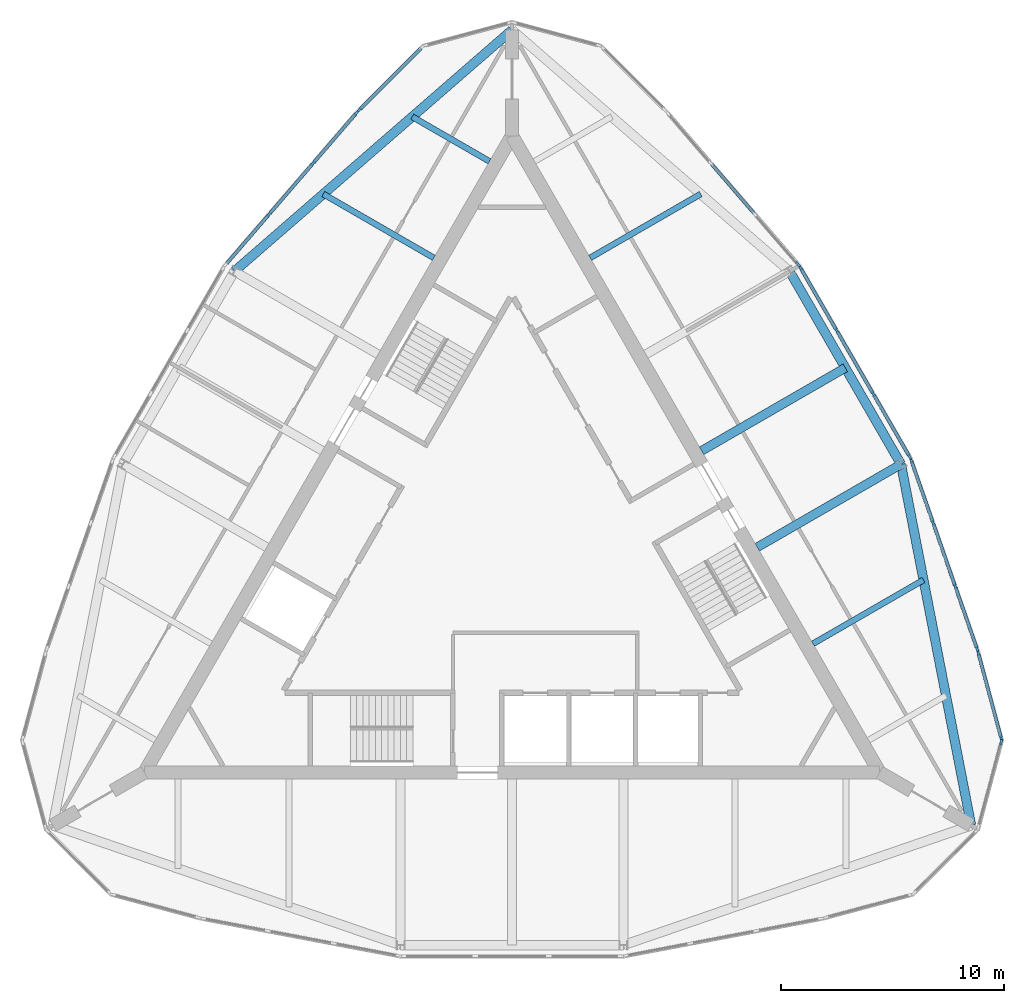
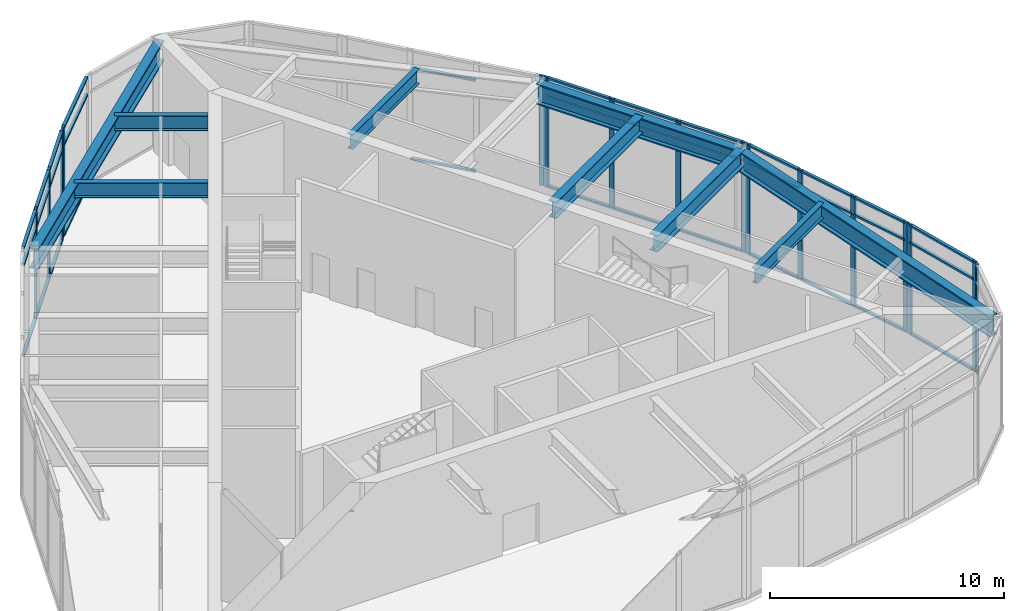
# One storey, part 3 of 9: 51 members, 9 beams, 7 elements without a shape of their own.
"""IFC4 building model written with IfcOpenShell, lengths in metres."""

from ifc_helpers import new_model, si_unit, direction, frame, origin, origin_2d, place, context, subcontext, project, spatial, rectangle, i_section, extrude, material, material_profile, profile_set, type_object, element, aggregate, save


model = new_model("IFC4")

# Units and contexts
model_context = context("Model", 3, precision=1e-05, world=origin(), true_north=direction((0.0, 1.0)))
body_context = subcontext(model_context, "Body", "Model", "MODEL_VIEW")
ifc_project = project(units=[si_unit("LENGTHUNIT", "METRE"), si_unit("AREAUNIT", "SQUARE_METRE"), si_unit("VOLUMEUNIT", "CUBIC_METRE"), si_unit("PLANEANGLEUNIT", "RADIAN"), si_unit("MASSUNIT", "GRAM", prefix="KILO")], contexts=[model_context])

# Site, building, storey
site_placement = place(None, origin())
site = spatial("IfcSite", under=ifc_project, at=site_placement, CompositionType="ELEMENT")
building_placement = place(site_placement, origin())
building = spatial("IfcBuilding", under=site, at=building_placement, Name="Trikona Tower", CompositionType="ELEMENT")
storey_placement = place(building_placement, frame((0.0, 0.0, 286.800048828125)))
storey = spatial("IfcBuildingStorey", under=building, at=storey_placement, Name="L75", CompositionType="ELEMENT", Elevation=286.800048828125)

# Curtain wall, member
ifc_material_1 = material(Name="Aluminium curtain wall system", Category="aluminium")
curtain_wall_type = type_object("IfcCurtainWallType", Name="Curtain wall OB", PredefinedType="NOTDEFINED", material=ifc_material_1)
curtain_wall_1_placement = place(storey_placement, origin())
curtain_wall_1 = element("IfcCurtainWall", 1, at=curtain_wall_1_placement, inside=storey, type_object=curtain_wall_type, Name="Curtain wall OB L75", PredefinedType="NOTDEFINED")
ifc_material_2 = material(Name="Aluminium mullion, pale anodised", Category="aluminium")
ifc_material_profile_1 = material_profile(ifc_material_2, rectangle(XDim=0.10009765625, YDim=0.25, at=origin_2d()), Name="MUL-OB")
ifc_profile_set_1 = profile_set([ifc_material_profile_1], Name="Aluminium mullion, pale anodised")
member_type_1 = type_object("IfcMemberType", Name="Mullion OB 100x250", PredefinedType="MULLION", material=ifc_profile_set_1)
member_1_placement = place(storey_placement, frame((21.957763671875, -8.163330078125, 0.0), z_axis=(0.0, 0.0, 1.0), x_axis=(-0.965923448705, 0.258827918204, 0.0)))
member_1 = element("IfcMember", 2, at=member_1_placement, type_object=member_type_1, Name="CW-OB mullion 2", PredefinedType="MULLION", context=body_context, shape_type="SweptSolid", body=[
    extrude(rectangle(XDim=0.10009765625, YDim=0.25, at=origin_2d()), origin(), (0.0, 0.0, 1.0), 5.75),
])
aggregate(curtain_wall_1, [member_1])

# Curtain wall, members
curtain_wall_2_placement = place(storey_placement, origin())
curtain_wall_2 = element("IfcCurtainWall", 3, at=curtain_wall_2_placement, inside=storey, type_object=curtain_wall_type, Name="Curtain wall OB L75", PredefinedType="NOTDEFINED")
member_2_placement = place(storey_placement, frame((21.957763671875, -8.00244140625, 0.0), z_axis=(0.0, 0.0, 1.0), x_axis=(-0.965921800259, -0.258834069983, 0.0)))
member_2 = element("IfcMember", 4, at=member_2_placement, type_object=member_type_1, Name="CW-OB mullion 1", PredefinedType="MULLION", context=body_context, shape_type="SweptSolid", body=[
    extrude(rectangle(XDim=0.10009765625, YDim=0.25, at=origin_2d()), origin(), (0.0, 0.0, 1.0), 5.75),
])
member_3_placement = place(storey_placement, frame((20.931884765625, -4.173583984375, 0.0), z_axis=(0.0, 0.0, 1.0), x_axis=(-0.965921800259, -0.258834069983, 0.0)))
member_3 = element("IfcMember", 5, at=member_3_placement, type_object=member_type_1, Name="CW-OB mullion 2", PredefinedType="MULLION", context=body_context, shape_type="SweptSolid", body=[
    extrude(rectangle(XDim=0.10009765625, YDim=0.25, at=origin_2d()), origin(), (0.0, 0.0, 1.0), 5.75),
])

curtain_wall_3_placement = place(storey_placement, origin())
curtain_wall_3 = element("IfcCurtainWall", 6, at=curtain_wall_3_placement, inside=storey, type_object=curtain_wall_type, Name="Curtain wall OB L75", PredefinedType="NOTDEFINED")
member_4_placement = place(storey_placement, frame((20.869384765625, -3.970703125, 0.0), z_axis=(0.0, 0.0, 1.0), x_axis=(-0.944137368145, -0.329552165935, 0.0)))
member_4 = element("IfcMember", 7, at=member_4_placement, type_object=member_type_1, Name="CW-OB mullion 1", PredefinedType="MULLION", context=body_context, shape_type="SweptSolid", body=[
    extrude(rectangle(XDim=0.10009765625, YDim=0.25, at=origin_2d()), origin(), (0.0, 0.0, 1.0), 5.75),
])
member_5_placement = place(storey_placement, frame((19.892578125, -1.17236328125, 0.0), z_axis=(0.0, 0.0, 1.0), x_axis=(-0.944137368145, -0.329552165935, 0.0)))
member_5 = element("IfcMember", 8, at=member_5_placement, type_object=member_type_1, Name="CW-OB mullion 2", PredefinedType="MULLION", context=body_context, shape_type="SweptSolid", body=[
    extrude(rectangle(XDim=0.10009765625, YDim=0.25, at=origin_2d()), origin(), (0.0, 0.0, 1.0), 5.75),
])
member_6_placement = place(storey_placement, frame((18.8994140625, 1.6728515625, 0.0), z_axis=(0.0, 0.0, 1.0), x_axis=(-0.944137368145, -0.329552165935, 0.0)))
member_6 = element("IfcMember", 9, at=member_6_placement, type_object=member_type_1, Name="CW-OB mullion 3", PredefinedType="MULLION", context=body_context, shape_type="SweptSolid", body=[
    extrude(rectangle(XDim=0.10009765625, YDim=0.25, at=origin_2d()), origin(), (0.0, 0.0, 1.0), 5.75),
])
member_7_placement = place(storey_placement, frame((17.9228515625, 4.470947265625, 0.0), z_axis=(0.0, 0.0, 1.0), x_axis=(-0.944137368145, -0.329552165935, 0.0)))
member_7 = element("IfcMember", 10, at=member_7_placement, type_object=member_type_1, Name="CW-OB mullion 4", PredefinedType="MULLION", context=body_context, shape_type="SweptSolid", body=[
    extrude(rectangle(XDim=0.10009765625, YDim=0.25, at=origin_2d()), origin(), (0.0, 0.0, 1.0), 5.75),
])

curtain_wall_4_placement = place(storey_placement, origin())
curtain_wall_4 = element("IfcCurtainWall", 11, at=curtain_wall_4_placement, inside=storey, type_object=curtain_wall_type, Name="Curtain wall OB L75", PredefinedType="NOTDEFINED")
member_8_placement = place(storey_placement, frame((17.83935546875, 4.653076171875, 0.0), z_axis=(0.0, 0.0, 1.0), x_axis=(-0.866022089219, -0.500005740951, 0.0)))
member_8 = element("IfcMember", 12, at=member_8_placement, type_object=member_type_1, Name="CW-OB mullion 1", PredefinedType="MULLION", context=body_context, shape_type="SweptSolid", body=[
    extrude(rectangle(XDim=0.10009765625, YDim=0.25, at=origin_2d()), origin(), (0.0, 0.0, 1.0), 5.75),
])
member_9_placement = place(storey_placement, frame((16.217529296875, 7.4619140625, 0.0), z_axis=(0.0, 0.0, 1.0), x_axis=(-0.866022089219, -0.500005740951, 0.0)))
member_9 = element("IfcMember", 13, at=member_9_placement, type_object=member_type_1, Name="CW-OB mullion 2", PredefinedType="MULLION", context=body_context, shape_type="SweptSolid", body=[
    extrude(rectangle(XDim=0.10009765625, YDim=0.25, at=origin_2d()), origin(), (0.0, 0.0, 1.0), 5.75),
])
member_10_placement = place(storey_placement, frame((14.571044921875, 10.31396484375, 0.0), z_axis=(0.0, 0.0, 1.0), x_axis=(-0.866022089219, -0.500005740951, 0.0)))
member_10 = element("IfcMember", 14, at=member_10_placement, type_object=member_type_1, Name="CW-OB mullion 3", PredefinedType="MULLION", context=body_context, shape_type="SweptSolid", body=[
    extrude(rectangle(XDim=0.10009765625, YDim=0.25, at=origin_2d()), origin(), (0.0, 0.0, 1.0), 5.75),
])
member_11_placement = place(storey_placement, frame((12.94921875, 13.122802734375, 0.0), z_axis=(0.0, 0.0, 1.0), x_axis=(-0.866022089219, -0.500005740951, 0.0)))
member_11 = element("IfcMember", 15, at=member_11_placement, type_object=member_type_1, Name="CW-OB mullion 4", PredefinedType="MULLION", context=body_context, shape_type="SweptSolid", body=[
    extrude(rectangle(XDim=0.10009765625, YDim=0.25, at=origin_2d()), origin(), (0.0, 0.0, 1.0), 5.75),
])

# Curtain wall, member
curtain_wall_5_placement = place(storey_placement, origin())
curtain_wall_5 = element("IfcCurtainWall", 16, at=curtain_wall_5_placement, inside=storey, type_object=curtain_wall_type, Name="Curtain wall OB L75", PredefinedType="NOTDEFINED")
member_12_placement = place(storey_placement, frame((12.833251953125, 13.2861328125, 0.0), z_axis=(0.0, 0.0, 1.0), x_axis=(-0.757475219973, -0.652863914707, 0.0)))
member_12 = element("IfcMember", 17, at=member_12_placement, type_object=member_type_1, Name="CW-OB mullion 1", PredefinedType="MULLION", context=body_context, shape_type="SweptSolid", body=[
    extrude(rectangle(XDim=0.10009765625, YDim=0.25, at=origin_2d()), origin(), (0.0, 0.0, 1.0), 5.75),
])

curtain_wall_6_placement = place(storey_placement, origin())
curtain_wall_6 = element("IfcCurtainWall", 18, at=curtain_wall_6_placement, inside=storey, type_object=curtain_wall_type, Name="Curtain wall OB L75", PredefinedType="NOTDEFINED")
member_13_placement = place(storey_placement, frame((-6.8515625, 20.21435546875, 0.0), z_axis=(0.0, 0.0, 1.0), x_axis=(0.707106781187, -0.707106781187, 0.0)))
member_13 = element("IfcMember", 19, at=member_13_placement, type_object=member_type_1, Name="CW-OB mullion 2", PredefinedType="MULLION", context=body_context, shape_type="SweptSolid", body=[
    extrude(rectangle(XDim=0.10009765625, YDim=0.25, at=origin_2d()), origin(), (0.0, 0.0, 1.0), 5.75),
])

# Curtain wall, members
curtain_wall_7_placement = place(storey_placement, origin())
curtain_wall_7 = element("IfcCurtainWall", 20, at=curtain_wall_7_placement, inside=storey, type_object=curtain_wall_type, Name="Curtain wall OB L75", PredefinedType="NOTDEFINED")
member_14_placement = place(storey_placement, frame((-6.99609375, 20.058837890625, 0.0), z_axis=(0.0, 0.0, 1.0), x_axis=(0.757475219973, -0.652863914707, 0.0)))
member_14 = element("IfcMember", 21, at=member_14_placement, type_object=member_type_1, Name="CW-OB mullion 1", PredefinedType="MULLION", context=body_context, shape_type="SweptSolid", body=[
    extrude(rectangle(XDim=0.10009765625, YDim=0.25, at=origin_2d()), origin(), (0.0, 0.0, 1.0), 5.75),
])
member_15_placement = place(storey_placement, frame((-8.930908203125, 17.813720703125, 0.0), z_axis=(0.0, 0.0, 1.0), x_axis=(0.757475219973, -0.652863914707, 0.0)))
member_15 = element("IfcMember", 22, at=member_15_placement, type_object=member_type_1, Name="CW-OB mullion 2", PredefinedType="MULLION", context=body_context, shape_type="SweptSolid", body=[
    extrude(rectangle(XDim=0.10009765625, YDim=0.25, at=origin_2d()), origin(), (0.0, 0.0, 1.0), 5.75),
])
member_16_placement = place(storey_placement, frame((-10.8984375, 15.531005859375, 0.0), z_axis=(0.0, 0.0, 1.0), x_axis=(0.757475219973, -0.652863914707, 0.0)))
member_16 = element("IfcMember", 23, at=member_16_placement, type_object=member_type_1, Name="CW-OB mullion 3", PredefinedType="MULLION", context=body_context, shape_type="SweptSolid", body=[
    extrude(rectangle(XDim=0.10009765625, YDim=0.25, at=origin_2d()), origin(), (0.0, 0.0, 1.0), 5.75),
])

# Beams
ifc_material_3 = material(Name="Steel ASTM A992 Grade 50", Category="steel")
ifc_material_profile_2 = material_profile(ifc_material_3, i_section(OverallWidth=0.2666015625, OverallDepth=0.76953125, WebThickness=0.015625, FlangeThickness=0.025390625, at=origin_2d()), Name="W30X132")
ifc_profile_set_2 = profile_set([ifc_material_profile_2], Name="Steel ASTM A992 Grade 50")
beam_type_1 = type_object("IfcBeamType", Name="Steel beam W30x132 (wedge)", PredefinedType="BEAM", material=ifc_profile_set_2)
for number, where, z_axis, x_axis, name in (
    (24, (13.509765625, -3.7470703125, 5.365234375), (0.866025872957, 0.499999187369, 0.0), (-0.499999187369, 0.866025872957, 0.0), "Floor beam L76 F2 u-10"),
    (25, (3.509765625, 13.573486328125, 5.365234375), (0.866044330199, 0.499967217055, 0.0), (-0.499967217055, 0.866044330199, 0.0), "Floor beam L76 F2 u10"),
):
    element("IfcBeam", number, at=place(storey_placement, frame(where, z_axis=z_axis, x_axis=x_axis)), inside=storey, type_object=beam_type_1, Name=name, PredefinedType="BEAM", context=body_context, shape_type="SweptSolid", body=[
        extrude(i_section(OverallWidth=0.2666015625, OverallDepth=0.76953125, WebThickness=0.015625, FlangeThickness=0.025390625, at=origin_2d()), origin(), (0.0, 0.0, 1.0), 5.7275390625),
    ])
beam_1_placement = place(storey_placement, frame((-1.009765625, 17.903564453125, 5.365234375), z_axis=(-0.866025209122, 0.500000337164, 0.0), x_axis=(-0.500000337164, -0.866025209122, 0.0)))
element("IfcBeam", 26, at=beam_1_placement, inside=storey, type_object=beam_type_1, Name="Floor beam L76 F3 u-15", PredefinedType="BEAM", context=body_context, shape_type="SweptSolid", body=[
    extrude(i_section(OverallWidth=0.2666015625, OverallDepth=0.76953125, WebThickness=0.015625, FlangeThickness=0.025390625, at=origin_2d()), origin(), (0.0, 0.0, 1.0), 4.00537109375),
])
beam_2_placement = place(storey_placement, frame((-3.509765625, 13.573486328125, 5.365234375), z_axis=(-0.866044330199, 0.499967217055, 0.0), x_axis=(-0.499967217055, -0.866044330199, 0.0)))
element("IfcBeam", 27, at=beam_2_placement, inside=storey, type_object=beam_type_1, Name="Floor beam L76 F3 u-10", PredefinedType="BEAM", context=body_context, shape_type="SweptSolid", body=[
    extrude(i_section(OverallWidth=0.2666015625, OverallDepth=0.76953125, WebThickness=0.015625, FlangeThickness=0.025390625, at=origin_2d()), origin(), (0.0, 0.0, 1.0), 5.7275390625),
])
ifc_material_4 = material(Name="Steel ASTM A992 Grade 50", Category="steel")
ifc_material_profile_3 = material_profile(ifc_material_4, i_section(OverallWidth=0.398681640625, OverallDepth=0.85595703125, WebThickness=0.01806640625, FlangeThickness=0.029296875, at=origin_2d()), Name="W33X201")
ifc_profile_set_3 = profile_set([ifc_material_profile_3], Name="Steel ASTM A992 Grade 50")
beam_type_2 = type_object("IfcBeamType", Name="Steel beam W33x201 (top)", PredefinedType="BEAM", material=ifc_profile_set_3)
for number, where, z_axis, x_axis, name in (
    (28, (11.009765625, 0.5830078125, 5.322021484375), (0.866018036629, 0.50001276007, 0.0), (-0.50001276007, 0.866018036629, 0.0), "Floor beam L76 F2 u-5"),
    (29, (8.509765625, 4.9130859375, 5.322021484375), (0.866018036629, 0.50001276007, 0.0), (-0.50001276007, 0.866018036629, 0.0), "Floor beam L76 F2 u0"),
):
    element("IfcBeam", number, at=place(storey_placement, frame(where, z_axis=z_axis, x_axis=x_axis)), inside=storey, type_object=beam_type_2, Name=name, PredefinedType="BEAM", context=body_context, shape_type="SweptSolid", body=[
        extrude(i_section(OverallWidth=0.398681640625, OverallDepth=0.85595703125, WebThickness=0.01806640625, FlangeThickness=0.029296875, at=origin_2d()), origin(), (0.0, 0.0, 1.0), 7.449462890625),
    ])
ifc_material_5 = material(Name="Steel ASTM A992 Grade 50", Category="steel")
ifc_material_profile_4 = material_profile(ifc_material_5, i_section(OverallWidth=0.41650390625, OverallDepth=1.0693359375, WebThickness=0.0390625, FlangeThickness=0.070068359375, at=origin_2d()), Name="W40X503")
ifc_profile_set_4 = profile_set([ifc_material_profile_4], Name="Steel ASTM A992 Grade 50")
beam_type_3 = type_object("IfcBeamType", Name="Steel beam W40x503 (crown spandrel)", PredefinedType="SPANDREL", material=ifc_profile_set_4)
beam_3_placement = place(storey_placement, frame((20.6103515625, -11.8994140625, 5.21533203125), z_axis=(-0.190738651496, 0.981640854297, 0.0), x_axis=(-0.981640854297, -0.190738651496, 0.0)))
element("IfcBeam", 30, at=beam_3_placement, inside=storey, type_object=beam_type_3, Name="Spandrel beam L76 F2-1", PredefinedType="SPANDREL", context=body_context, shape_type="SweptSolid", body=[
    extrude(i_section(OverallWidth=0.41650390625, OverallDepth=1.0693359375, WebThickness=0.0390625, FlangeThickness=0.070068359375, at=origin_2d()), origin(), (0.0, 0.0, 1.0), 16.510498046875),
])
beam_4_placement = place(storey_placement, frame((17.461181640625, 4.307861328125, 5.21533203125), z_axis=(-0.500004234368, 0.866022959057, 0.0), x_axis=(-0.866022959057, -0.500004234368, 0.0)))
element("IfcBeam", 31, at=beam_4_placement, inside=storey, type_object=beam_type_3, Name="Spandrel beam L76 F2-2", PredefinedType="SPANDREL", context=body_context, shape_type="SweptSolid", body=[
    extrude(i_section(OverallWidth=0.41650390625, OverallDepth=1.0693359375, WebThickness=0.0390625, FlangeThickness=0.070068359375, at=origin_2d()), origin(), (0.0, 0.0, 1.0), 10.0),
])
beam_5_placement = place(storey_placement, frame((0.0, 23.798583984375, 5.21533203125), z_axis=(-0.754762765652, -0.655997841144, 0.0), x_axis=(0.655997841144, -0.754762765652, 0.0)))
element("IfcBeam", 32, at=beam_5_placement, inside=storey, type_object=beam_type_3, Name="Spandrel beam L76 F3-1", PredefinedType="SPANDREL", context=body_context, shape_type="SweptSolid", body=[
    extrude(i_section(OverallWidth=0.41650390625, OverallDepth=1.0693359375, WebThickness=0.0390625, FlangeThickness=0.070068359375, at=origin_2d()), origin(), (0.0, 0.0, 1.0), 16.510009765625),
])

# Member
ifc_material_6 = material(Name="Aluminium transom, pale anodised", Category="aluminium")
ifc_material_profile_5 = material_profile(ifc_material_6, rectangle(XDim=0.14990234375, YDim=0.10009765625, at=origin_2d()), Name="TRN-OB")
ifc_profile_set_5 = profile_set([ifc_material_profile_5], Name="Aluminium transom, pale anodised")
member_type_2 = type_object("IfcMemberType", Name="Transom OB 100x150", PredefinedType="USERDEFINED", material=ifc_profile_set_5)
member_17_placement = place(storey_placement, frame((21.94482421875, -7.9541015625, 0.050048828125), z_axis=(-0.258810832585, 0.965928026789, 0.0), x_axis=(-0.965928026789, -0.258810832585, 0.0)))
member_17 = element("IfcMember", 33, at=member_17_placement, type_object=member_type_2, Name="CW-OB transom 1.1", ObjectType="TRANSOM", PredefinedType="USERDEFINED", context=body_context, shape_type="SweptSolid", body=[
    extrude(rectangle(XDim=0.14990234375, YDim=0.10009765625, at=origin_2d()), origin(), (0.0, 0.0, 1.0), 3.86376953125),
])

member_18_placement = place(storey_placement, frame((21.94482421875, -7.9541015625, 4.800048828125), z_axis=(-0.258810832585, 0.965928026789, 0.0), x_axis=(-0.965928026789, -0.258810832585, 0.0)))
member_18 = element("IfcMember", 34, at=member_18_placement, type_object=member_type_2, Name="CW-OB transom 1.2", ObjectType="TRANSOM", PredefinedType="USERDEFINED", context=body_context, shape_type="SweptSolid", body=[
    extrude(rectangle(XDim=0.14990234375, YDim=0.10009765625, at=origin_2d()), origin(), (0.0, 0.0, 1.0), 3.86376953125),
])

member_19_placement = place(storey_placement, frame((21.94482421875, -7.9541015625, 5.699951171875), z_axis=(-0.258810832585, 0.965928026789, 0.0), x_axis=(-0.965928026789, -0.258810832585, 0.0)))
member_19 = element("IfcMember", 35, at=member_19_placement, type_object=member_type_2, Name="CW-OB transom 1.3", ObjectType="TRANSOM", PredefinedType="USERDEFINED", context=body_context, shape_type="SweptSolid", body=[
    extrude(rectangle(XDim=0.14990234375, YDim=0.10009765625, at=origin_2d()), origin(), (0.0, 0.0, 1.0), 3.86376953125),
])

aggregate(curtain_wall_2, [member_2, member_3, member_17, member_18, member_19])

member_20_placement = place(storey_placement, frame((20.852783203125, -3.92333984375, 0.050048828125), z_axis=(-0.329522402008, 0.944147756749, 0.0), x_axis=(-0.944147756749, -0.329522402008, 0.0)))
member_20 = element("IfcMember", 36, at=member_20_placement, type_object=member_type_2, Name="CW-OB transom 1.1", ObjectType="TRANSOM", PredefinedType="USERDEFINED", context=body_context, shape_type="SweptSolid", body=[
    extrude(rectangle(XDim=0.14990234375, YDim=0.10009765625, at=origin_2d()), origin(), (0.0, 0.0, 1.0), 2.863525390625),
])

member_21_placement = place(storey_placement, frame((20.852783203125, -3.92333984375, 4.800048828125), z_axis=(-0.329522402008, 0.944147756749, 0.0), x_axis=(-0.944147756749, -0.329522402008, 0.0)))
member_21 = element("IfcMember", 37, at=member_21_placement, type_object=member_type_2, Name="CW-OB transom 1.2", ObjectType="TRANSOM", PredefinedType="USERDEFINED", context=body_context, shape_type="SweptSolid", body=[
    extrude(rectangle(XDim=0.14990234375, YDim=0.10009765625, at=origin_2d()), origin(), (0.0, 0.0, 1.0), 2.863525390625),
])

member_22_placement = place(storey_placement, frame((20.852783203125, -3.92333984375, 5.699951171875), z_axis=(-0.329522402008, 0.944147756749, 0.0), x_axis=(-0.944147756749, -0.329522402008, 0.0)))
member_22 = element("IfcMember", 38, at=member_22_placement, type_object=member_type_2, Name="CW-OB transom 1.3", ObjectType="TRANSOM", PredefinedType="USERDEFINED", context=body_context, shape_type="SweptSolid", body=[
    extrude(rectangle(XDim=0.14990234375, YDim=0.10009765625, at=origin_2d()), origin(), (0.0, 0.0, 1.0), 2.863525390625),
])

member_23_placement = place(storey_placement, frame((19.876220703125, -1.125244140625, 0.050048828125), z_axis=(-0.329544133465, 0.944140171849, 0.0), x_axis=(-0.944140171849, -0.329544133465, 0.0)))
member_23 = element("IfcMember", 39, at=member_23_placement, type_object=member_type_2, Name="CW-OB transom 2.1", ObjectType="TRANSOM", PredefinedType="USERDEFINED", context=body_context, shape_type="SweptSolid", body=[
    extrude(rectangle(XDim=0.14990234375, YDim=0.10009765625, at=origin_2d()), origin(), (0.0, 0.0, 1.0), 2.913818359375),
])

member_24_placement = place(storey_placement, frame((19.876220703125, -1.125244140625, 4.800048828125), z_axis=(-0.329544133465, 0.944140171849, 0.0), x_axis=(-0.944140171849, -0.329544133465, 0.0)))
member_24 = element("IfcMember", 40, at=member_24_placement, type_object=member_type_2, Name="CW-OB transom 2.2", ObjectType="TRANSOM", PredefinedType="USERDEFINED", context=body_context, shape_type="SweptSolid", body=[
    extrude(rectangle(XDim=0.14990234375, YDim=0.10009765625, at=origin_2d()), origin(), (0.0, 0.0, 1.0), 2.913818359375),
])

member_25_placement = place(storey_placement, frame((19.876220703125, -1.125244140625, 5.699951171875), z_axis=(-0.329544133465, 0.944140171849, 0.0), x_axis=(-0.944140171849, -0.329544133465, 0.0)))
member_25 = element("IfcMember", 41, at=member_25_placement, type_object=member_type_2, Name="CW-OB transom 2.3", ObjectType="TRANSOM", PredefinedType="USERDEFINED", context=body_context, shape_type="SweptSolid", body=[
    extrude(rectangle(XDim=0.14990234375, YDim=0.10009765625, at=origin_2d()), origin(), (0.0, 0.0, 1.0), 2.913818359375),
])

member_26_placement = place(storey_placement, frame((18.883056640625, 1.719970703125, 0.050048828125), z_axis=(-0.329571871193, 0.944130489773, 0.0), x_axis=(-0.944130489773, -0.329571871193, 0.0)))
member_26 = element("IfcMember", 42, at=member_26_placement, type_object=member_type_2, Name="CW-OB transom 3.1", ObjectType="TRANSOM", PredefinedType="USERDEFINED", context=body_context, shape_type="SweptSolid", body=[
    extrude(rectangle(XDim=0.14990234375, YDim=0.10009765625, at=origin_2d()), origin(), (0.0, 0.0, 1.0), 2.86376953125),
])

member_27_placement = place(storey_placement, frame((18.883056640625, 1.719970703125, 4.800048828125), z_axis=(-0.329571871193, 0.944130489773, 0.0), x_axis=(-0.944130489773, -0.329571871193, 0.0)))
member_27 = element("IfcMember", 43, at=member_27_placement, type_object=member_type_2, Name="CW-OB transom 3.2", ObjectType="TRANSOM", PredefinedType="USERDEFINED", context=body_context, shape_type="SweptSolid", body=[
    extrude(rectangle(XDim=0.14990234375, YDim=0.10009765625, at=origin_2d()), origin(), (0.0, 0.0, 1.0), 2.86376953125),
])

member_28_placement = place(storey_placement, frame((18.883056640625, 1.719970703125, 5.699951171875), z_axis=(-0.329571871193, 0.944130489773, 0.0), x_axis=(-0.944130489773, -0.329571871193, 0.0)))
member_28 = element("IfcMember", 44, at=member_28_placement, type_object=member_type_2, Name="CW-OB transom 3.3", ObjectType="TRANSOM", PredefinedType="USERDEFINED", context=body_context, shape_type="SweptSolid", body=[
    extrude(rectangle(XDim=0.14990234375, YDim=0.10009765625, at=origin_2d()), origin(), (0.0, 0.0, 1.0), 2.86376953125),
])

aggregate(curtain_wall_3, [member_4, member_5, member_6, member_7, member_20, member_21, member_22, member_23, member_24, member_25, member_26, member_27, member_28])

member_29_placement = place(storey_placement, frame((17.814208984375, 4.6962890625, 0.050048828125), z_axis=(-0.499973465047, 0.866040723205, 0.0), x_axis=(-0.866040723205, -0.499973465047, 0.0)))
member_29 = element("IfcMember", 45, at=member_29_placement, type_object=member_type_2, Name="CW-OB transom 1.1", ObjectType="TRANSOM", PredefinedType="USERDEFINED", context=body_context, shape_type="SweptSolid", body=[
    extrude(rectangle(XDim=0.14990234375, YDim=0.10009765625, at=origin_2d()), origin(), (0.0, 0.0, 1.0), 3.143310546875),
])

member_30_placement = place(storey_placement, frame((17.814208984375, 4.6962890625, 4.800048828125), z_axis=(-0.499973465047, 0.866040723205, 0.0), x_axis=(-0.866040723205, -0.499973465047, 0.0)))
member_30 = element("IfcMember", 46, at=member_30_placement, type_object=member_type_2, Name="CW-OB transom 1.2", ObjectType="TRANSOM", PredefinedType="USERDEFINED", context=body_context, shape_type="SweptSolid", body=[
    extrude(rectangle(XDim=0.14990234375, YDim=0.10009765625, at=origin_2d()), origin(), (0.0, 0.0, 1.0), 3.143310546875),
])

member_31_placement = place(storey_placement, frame((17.814208984375, 4.6962890625, 5.699951171875), z_axis=(-0.499973465047, 0.866040723205, 0.0), x_axis=(-0.866040723205, -0.499973465047, 0.0)))
member_31 = element("IfcMember", 47, at=member_31_placement, type_object=member_type_2, Name="CW-OB transom 1.3", ObjectType="TRANSOM", PredefinedType="USERDEFINED", context=body_context, shape_type="SweptSolid", body=[
    extrude(rectangle(XDim=0.14990234375, YDim=0.10009765625, at=origin_2d()), origin(), (0.0, 0.0, 1.0), 3.143310546875),
])

member_32_placement = place(storey_placement, frame((16.192626953125, 7.505126953125, 0.050048828125), z_axis=(-0.499987164874, 0.866032814021, 0.0), x_axis=(-0.866032814021, -0.499987164874, 0.0)))
member_32 = element("IfcMember", 48, at=member_32_placement, type_object=member_type_2, Name="CW-OB transom 2.1", ObjectType="TRANSOM", PredefinedType="USERDEFINED", context=body_context, shape_type="SweptSolid", body=[
    extrude(rectangle(XDim=0.14990234375, YDim=0.10009765625, at=origin_2d()), origin(), (0.0, 0.0, 1.0), 3.193359375),
])

member_33_placement = place(storey_placement, frame((16.192626953125, 7.505126953125, 4.800048828125), z_axis=(-0.499987164874, 0.866032814021, 0.0), x_axis=(-0.866032814021, -0.499987164874, 0.0)))
member_33 = element("IfcMember", 49, at=member_33_placement, type_object=member_type_2, Name="CW-OB transom 2.2", ObjectType="TRANSOM", PredefinedType="USERDEFINED", context=body_context, shape_type="SweptSolid", body=[
    extrude(rectangle(XDim=0.14990234375, YDim=0.10009765625, at=origin_2d()), origin(), (0.0, 0.0, 1.0), 3.193359375),
])

member_34_placement = place(storey_placement, frame((16.192626953125, 7.505126953125, 5.699951171875), z_axis=(-0.499987164874, 0.866032814021, 0.0), x_axis=(-0.866032814021, -0.499987164874, 0.0)))
member_34 = element("IfcMember", 50, at=member_34_placement, type_object=member_type_2, Name="CW-OB transom 2.3", ObjectType="TRANSOM", PredefinedType="USERDEFINED", context=body_context, shape_type="SweptSolid", body=[
    extrude(rectangle(XDim=0.14990234375, YDim=0.10009765625, at=origin_2d()), origin(), (0.0, 0.0, 1.0), 3.193359375),
])

member_35_placement = place(storey_placement, frame((14.5458984375, 10.357177734375, 0.050048828125), z_axis=(-0.499973465047, 0.866040723205, 0.0), x_axis=(-0.866040723205, -0.499973465047, 0.0)))
member_35 = element("IfcMember", 51, at=member_35_placement, type_object=member_type_2, Name="CW-OB transom 3.1", ObjectType="TRANSOM", PredefinedType="USERDEFINED", context=body_context, shape_type="SweptSolid", body=[
    extrude(rectangle(XDim=0.14990234375, YDim=0.10009765625, at=origin_2d()), origin(), (0.0, 0.0, 1.0), 3.143310546875),
])

member_36_placement = place(storey_placement, frame((14.5458984375, 10.357177734375, 4.800048828125), z_axis=(-0.499973465047, 0.866040723205, 0.0), x_axis=(-0.866040723205, -0.499973465047, 0.0)))
member_36 = element("IfcMember", 52, at=member_36_placement, type_object=member_type_2, Name="CW-OB transom 3.2", ObjectType="TRANSOM", PredefinedType="USERDEFINED", context=body_context, shape_type="SweptSolid", body=[
    extrude(rectangle(XDim=0.14990234375, YDim=0.10009765625, at=origin_2d()), origin(), (0.0, 0.0, 1.0), 3.143310546875),
])

member_37_placement = place(storey_placement, frame((14.5458984375, 10.357177734375, 5.699951171875), z_axis=(-0.499973465047, 0.866040723205, 0.0), x_axis=(-0.866040723205, -0.499973465047, 0.0)))
member_37 = element("IfcMember", 53, at=member_37_placement, type_object=member_type_2, Name="CW-OB transom 3.3", ObjectType="TRANSOM", PredefinedType="USERDEFINED", context=body_context, shape_type="SweptSolid", body=[
    extrude(rectangle(XDim=0.14990234375, YDim=0.10009765625, at=origin_2d()), origin(), (0.0, 0.0, 1.0), 3.143310546875),
])

aggregate(curtain_wall_4, [member_8, member_9, member_10, member_11, member_29, member_30, member_31, member_32, member_33, member_34, member_35, member_36, member_37])

member_38_placement = place(storey_placement, frame((10.86572265625, 15.56884765625, 0.050048828125), z_axis=(-0.652838503386, 0.757497121115, 0.0), x_axis=(-0.757497121115, -0.652838503386, 0.0)))
member_38 = element("IfcMember", 54, at=member_38_placement, type_object=member_type_2, Name="CW-OB transom 2.1", ObjectType="TRANSOM", PredefinedType="USERDEFINED", context=body_context, shape_type="SweptSolid", body=[
    extrude(rectangle(XDim=0.14990234375, YDim=0.10009765625, at=origin_2d()), origin(), (0.0, 0.0, 1.0), 2.91357421875),
])

member_39_placement = place(storey_placement, frame((10.86572265625, 15.56884765625, 4.800048828125), z_axis=(-0.652838503386, 0.757497121115, 0.0), x_axis=(-0.757497121115, -0.652838503386, 0.0)))
member_39 = element("IfcMember", 55, at=member_39_placement, type_object=member_type_2, Name="CW-OB transom 2.2", ObjectType="TRANSOM", PredefinedType="USERDEFINED", context=body_context, shape_type="SweptSolid", body=[
    extrude(rectangle(XDim=0.14990234375, YDim=0.10009765625, at=origin_2d()), origin(), (0.0, 0.0, 1.0), 2.91357421875),
])

aggregate(curtain_wall_5, [member_12, member_38, member_39])

member_40_placement = place(storey_placement, frame((-4.083984375, 22.98193359375, 0.050048828125), z_axis=(-0.707106781187, -0.707106781187, 0.0), x_axis=(0.707106781187, -0.707106781187, 0.0)))
member_40 = element("IfcMember", 56, at=member_40_placement, type_object=member_type_2, Name="CW-OB transom 1.1", ObjectType="TRANSOM", PredefinedType="USERDEFINED", context=body_context, shape_type="SweptSolid", body=[
    extrude(rectangle(XDim=0.14990234375, YDim=0.10009765625, at=origin_2d()), origin(), (0.0, 0.0, 1.0), 3.86376953125),
])

member_41_placement = place(storey_placement, frame((-4.083984375, 22.98193359375, 4.800048828125), z_axis=(-0.707106781187, -0.707106781187, 0.0), x_axis=(0.707106781187, -0.707106781187, 0.0)))
member_41 = element("IfcMember", 57, at=member_41_placement, type_object=member_type_2, Name="CW-OB transom 1.2", ObjectType="TRANSOM", PredefinedType="USERDEFINED", context=body_context, shape_type="SweptSolid", body=[
    extrude(rectangle(XDim=0.14990234375, YDim=0.10009765625, at=origin_2d()), origin(), (0.0, 0.0, 1.0), 3.86376953125),
])

member_42_placement = place(storey_placement, frame((-4.083984375, 22.98193359375, 5.699951171875), z_axis=(-0.707106781187, -0.707106781187, 0.0), x_axis=(0.707106781187, -0.707106781187, 0.0)))
member_42 = element("IfcMember", 58, at=member_42_placement, type_object=member_type_2, Name="CW-OB transom 1.3", ObjectType="TRANSOM", PredefinedType="USERDEFINED", context=body_context, shape_type="SweptSolid", body=[
    extrude(rectangle(XDim=0.14990234375, YDim=0.10009765625, at=origin_2d()), origin(), (0.0, 0.0, 1.0), 3.86376953125),
])

aggregate(curtain_wall_6, [member_13, member_40, member_41, member_42])

member_43_placement = place(storey_placement, frame((-7.028564453125, 20.020751953125, 0.050048828125), z_axis=(-0.65286710173, -0.757472473083, 0.0), x_axis=(0.757472473083, -0.65286710173, 0.0)))
member_43 = element("IfcMember", 59, at=member_43_placement, type_object=member_type_2, Name="CW-OB transom 1.1", ObjectType="TRANSOM", PredefinedType="USERDEFINED", context=body_context, shape_type="SweptSolid", body=[
    extrude(rectangle(XDim=0.14990234375, YDim=0.10009765625, at=origin_2d()), origin(), (0.0, 0.0, 1.0), 2.86376953125),
])

member_44_placement = place(storey_placement, frame((-7.028564453125, 20.020751953125, 4.800048828125), z_axis=(-0.65286710173, -0.757472473083, 0.0), x_axis=(0.757472473083, -0.65286710173, 0.0)))
member_44 = element("IfcMember", 60, at=member_44_placement, type_object=member_type_2, Name="CW-OB transom 1.2", ObjectType="TRANSOM", PredefinedType="USERDEFINED", context=body_context, shape_type="SweptSolid", body=[
    extrude(rectangle(XDim=0.14990234375, YDim=0.10009765625, at=origin_2d()), origin(), (0.0, 0.0, 1.0), 2.86376953125),
])

member_45_placement = place(storey_placement, frame((-7.028564453125, 20.020751953125, 5.699951171875), z_axis=(-0.65286710173, -0.757472473083, 0.0), x_axis=(0.757472473083, -0.65286710173, 0.0)))
member_45 = element("IfcMember", 61, at=member_45_placement, type_object=member_type_2, Name="CW-OB transom 1.3", ObjectType="TRANSOM", PredefinedType="USERDEFINED", context=body_context, shape_type="SweptSolid", body=[
    extrude(rectangle(XDim=0.14990234375, YDim=0.10009765625, at=origin_2d()), origin(), (0.0, 0.0, 1.0), 2.86376953125),
])

member_46_placement = place(storey_placement, frame((-8.963623046875, 17.77587890625, 0.050048828125), z_axis=(-0.652838503386, -0.757497121115, 0.0), x_axis=(0.757497121115, -0.652838503386, 0.0)))
member_46 = element("IfcMember", 62, at=member_46_placement, type_object=member_type_2, Name="CW-OB transom 2.1", ObjectType="TRANSOM", PredefinedType="USERDEFINED", context=body_context, shape_type="SweptSolid", body=[
    extrude(rectangle(XDim=0.14990234375, YDim=0.10009765625, at=origin_2d()), origin(), (0.0, 0.0, 1.0), 2.91357421875),
])

member_47_placement = place(storey_placement, frame((-8.963623046875, 17.77587890625, 4.800048828125), z_axis=(-0.652838503386, -0.757497121115, 0.0), x_axis=(0.757497121115, -0.652838503386, 0.0)))
member_47 = element("IfcMember", 63, at=member_47_placement, type_object=member_type_2, Name="CW-OB transom 2.2", ObjectType="TRANSOM", PredefinedType="USERDEFINED", context=body_context, shape_type="SweptSolid", body=[
    extrude(rectangle(XDim=0.14990234375, YDim=0.10009765625, at=origin_2d()), origin(), (0.0, 0.0, 1.0), 2.91357421875),
])

member_48_placement = place(storey_placement, frame((-8.963623046875, 17.77587890625, 5.699951171875), z_axis=(-0.652838503386, -0.757497121115, 0.0), x_axis=(0.757497121115, -0.652838503386, 0.0)))
member_48 = element("IfcMember", 64, at=member_48_placement, type_object=member_type_2, Name="CW-OB transom 2.3", ObjectType="TRANSOM", PredefinedType="USERDEFINED", context=body_context, shape_type="SweptSolid", body=[
    extrude(rectangle(XDim=0.14990234375, YDim=0.10009765625, at=origin_2d()), origin(), (0.0, 0.0, 1.0), 2.91357421875),
])

member_49_placement = place(storey_placement, frame((-10.93115234375, 15.4931640625, 0.050048828125), z_axis=(-0.65286710173, -0.757472473083, 0.0), x_axis=(0.757472473083, -0.65286710173, 0.0)))
member_49 = element("IfcMember", 65, at=member_49_placement, type_object=member_type_2, Name="CW-OB transom 3.1", ObjectType="TRANSOM", PredefinedType="USERDEFINED", context=body_context, shape_type="SweptSolid", body=[
    extrude(rectangle(XDim=0.14990234375, YDim=0.10009765625, at=origin_2d()), origin(), (0.0, 0.0, 1.0), 2.86376953125),
])

member_50_placement = place(storey_placement, frame((-10.93115234375, 15.4931640625, 4.800048828125), z_axis=(-0.65286710173, -0.757472473083, 0.0), x_axis=(0.757472473083, -0.65286710173, 0.0)))
member_50 = element("IfcMember", 66, at=member_50_placement, type_object=member_type_2, Name="CW-OB transom 3.2", ObjectType="TRANSOM", PredefinedType="USERDEFINED", context=body_context, shape_type="SweptSolid", body=[
    extrude(rectangle(XDim=0.14990234375, YDim=0.10009765625, at=origin_2d()), origin(), (0.0, 0.0, 1.0), 2.86376953125),
])

member_51_placement = place(storey_placement, frame((-10.93115234375, 15.4931640625, 5.699951171875), z_axis=(-0.65286710173, -0.757472473083, 0.0), x_axis=(0.757472473083, -0.65286710173, 0.0)))
member_51 = element("IfcMember", 67, at=member_51_placement, type_object=member_type_2, Name="CW-OB transom 3.3", ObjectType="TRANSOM", PredefinedType="USERDEFINED", context=body_context, shape_type="SweptSolid", body=[
    extrude(rectangle(XDim=0.14990234375, YDim=0.10009765625, at=origin_2d()), origin(), (0.0, 0.0, 1.0), 2.86376953125),
])

aggregate(curtain_wall_7, [member_14, member_15, member_16, member_43, member_44, member_45, member_46, member_47, member_48, member_49, member_50, member_51])

save(model, "model.ifc")
